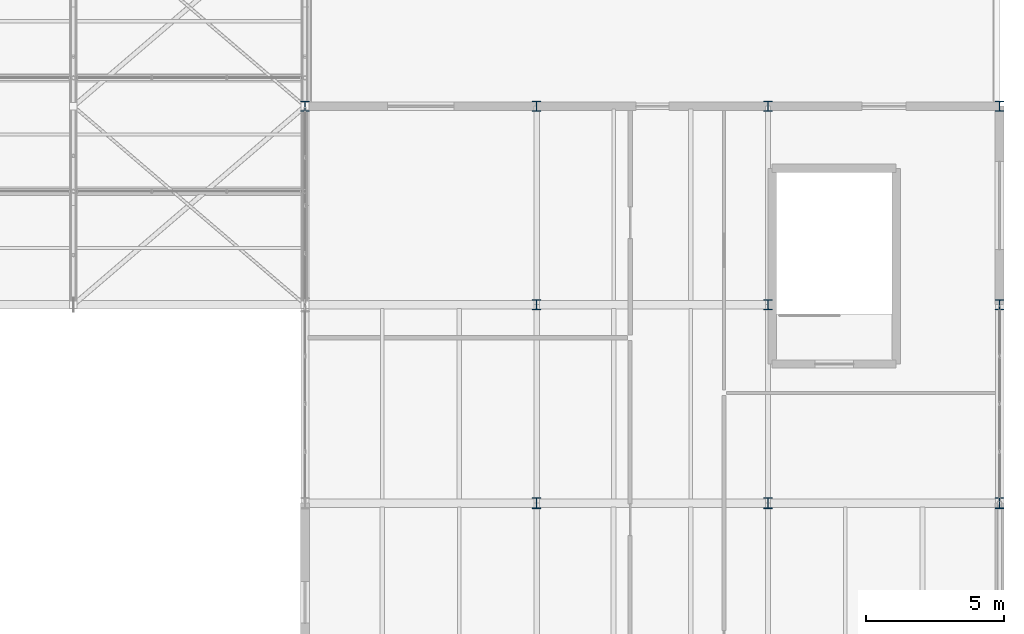
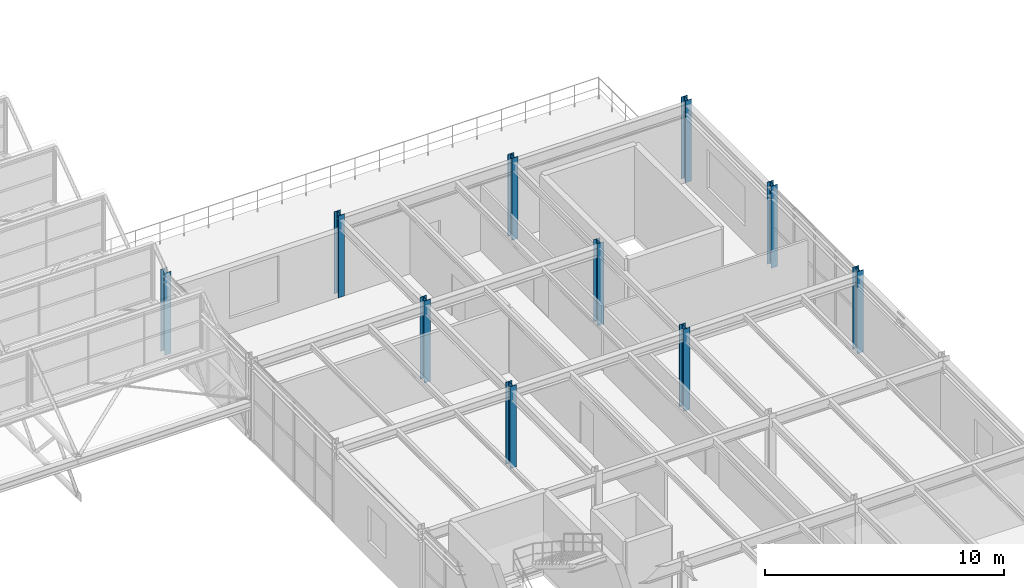
# One storey, part 5 of 134: 10 columns.
"""IFC4 building model written with IfcOpenShell, lengths in metres."""

from ifc_helpers import new_model, si_unit, derived_unit, direction, frame, origin, origin_2d, place, context, subcontext, project, spatial, i_section, extrude, material, material_profile, profile_set, type_object, element, save


model = new_model("IFC4")

# Units and contexts
model_context = context("Model", 3, precision=1e-05, world=origin(), true_north=direction((0.0, 1.0)))
body_context = subcontext(model_context, "Body", "Model", "MODEL_VIEW")
ifc_project = project(units=[si_unit("LENGTHUNIT", "METRE"), si_unit("AREAUNIT", "SQUARE_METRE"), si_unit("VOLUMEUNIT", "CUBIC_METRE"), si_unit("PLANEANGLEUNIT", "RADIAN"), si_unit("MASSUNIT", "GRAM", prefix="KILO"), derived_unit("THERMALTRANSMITTANCEUNIT", [(si_unit("MASSUNIT", "GRAM", prefix="KILO"), 1), (si_unit("TIMEUNIT", "SECOND"), -3), (si_unit("THERMODYNAMICTEMPERATUREUNIT", "KELVIN"), -1)])], contexts=[model_context])

# Site, building, storey
site_placement = place(None, origin())
site = spatial("IfcSite", under=ifc_project, at=site_placement, CompositionType="ELEMENT")
building_placement = place(site_placement, origin())
building = spatial("IfcBuilding", under=site, at=building_placement, Name="Kharveza Railside Sports Centre", CompositionType="ELEMENT")
storey_placement = place(building_placement, frame((0.0, 0.0, 12.89990234375)))
storey = spatial("IfcBuildingStorey", under=building, at=storey_placement, Name="L03", CompositionType="ELEMENT", Elevation=12.89990234375)

# Columns
ifc_material = material(Name="Steel S355J2", Category="steel")
ifc_material_profile_1 = material_profile(ifc_material, i_section(OverallWidth=0.300048828125, OverallDepth=0.389892578125, WebThickness=0.010986328125, FlangeThickness=0.01904296875, FilletRadius=0.027099609375, at=origin_2d()), Name="HEA 400")
ifc_profile_set_1 = profile_set([ifc_material_profile_1], Name="Steel S355J2")
column_type_1 = type_object("IfcColumnType", Name="COL-S10", PredefinedType="COLUMN", material=ifc_profile_set_1)
for number, where, z_axis, x_axis, name in (
    (1, (151.199951171875, 72.0, 0.0), (0.0, 0.0, 1.0), (1.0, 0.0, 0.0), "COL-G-C10-X1512-Y720-L03"),
    (2, (159.60009765625, 72.0, 0.0), (0.0, 0.0, 1.0), (1.0, 0.0, 0.0), "COL-G-C10-X1596-Y720-L03"),
    (3, (168.0, 72.0, 0.0), (0.0, 0.0, 1.0), (1.0, 0.0, 0.0), "COL-G-C10-X1680-Y720-L03"),
):
    element("IfcColumn", number, at=place(storey_placement, frame(where, z_axis=z_axis, x_axis=x_axis)), inside=storey, type_object=column_type_1, Name=name, PredefinedType="COLUMN", context=body_context, shape_type="SweptSolid", body=[
        extrude(i_section(OverallWidth=0.300048828125, OverallDepth=0.389892578125, WebThickness=0.010986328125, FlangeThickness=0.01904296875, FilletRadius=0.027099609375, at=origin_2d()), origin(), (0.0, 0.0, 1.0), 4.2001953125),
    ])
ifc_material_profile_2 = material_profile(ifc_material, i_section(OverallWidth=0.300048828125, OverallDepth=0.35009765625, WebThickness=0.010009765625, FlangeThickness=0.017578125, FilletRadius=0.027099609375, at=origin_2d()), Name="HEA 360")
ifc_profile_set_2 = profile_set([ifc_material_profile_2], Name="Steel S355J2")
column_type_2 = type_object("IfcColumnType", Name="COL-S11", PredefinedType="COLUMN", material=ifc_profile_set_2)
for number, where, z_axis, x_axis, name in (
    (4, (142.800048828125, 86.39990234375, 0.0), (0.0, 0.0, 1.0), (1.0, 0.0, 0.0), "COL-G-C11-X1428-Y864-L03"),
    (5, (151.199951171875, 79.199951171875, 0.0), (0.0, 0.0, 1.0), (1.0, 0.0, 0.0), "COL-G-C11-X1512-Y792-L03"),
    (6, (151.199951171875, 86.39990234375, 0.0), (0.0, 0.0, 1.0), (1.0, 0.0, 0.0), "COL-G-C11-X1512-Y864-L03"),
    (7, (159.60009765625, 79.199951171875, 0.0), (0.0, 0.0, 1.0), (1.0, 0.0, 0.0), "COL-G-C11-X1596-Y792-L03"),
    (8, (159.60009765625, 86.39990234375, 0.0), (0.0, 0.0, 1.0), (1.0, 0.0, 0.0), "COL-G-C11-X1596-Y864-L03"),
    (9, (168.0, 79.199951171875, 0.0), (0.0, 0.0, 1.0), (1.0, 0.0, 0.0), "COL-G-C11-X1680-Y792-L03"),
    (10, (168.0, 86.39990234375, 0.0), (0.0, 0.0, 1.0), (1.0, 0.0, 0.0), "COL-G-C11-X1680-Y864-L03"),
):
    element("IfcColumn", number, at=place(storey_placement, frame(where, z_axis=z_axis, x_axis=x_axis)), inside=storey, type_object=column_type_2, Name=name, PredefinedType="COLUMN", context=body_context, shape_type="SweptSolid", body=[
        extrude(i_section(OverallWidth=0.300048828125, OverallDepth=0.35009765625, WebThickness=0.010009765625, FlangeThickness=0.017578125, FilletRadius=0.027099609375, at=origin_2d()), origin(), (0.0, 0.0, 1.0), 4.2001953125),
    ])

save(model, "model.ifc")
